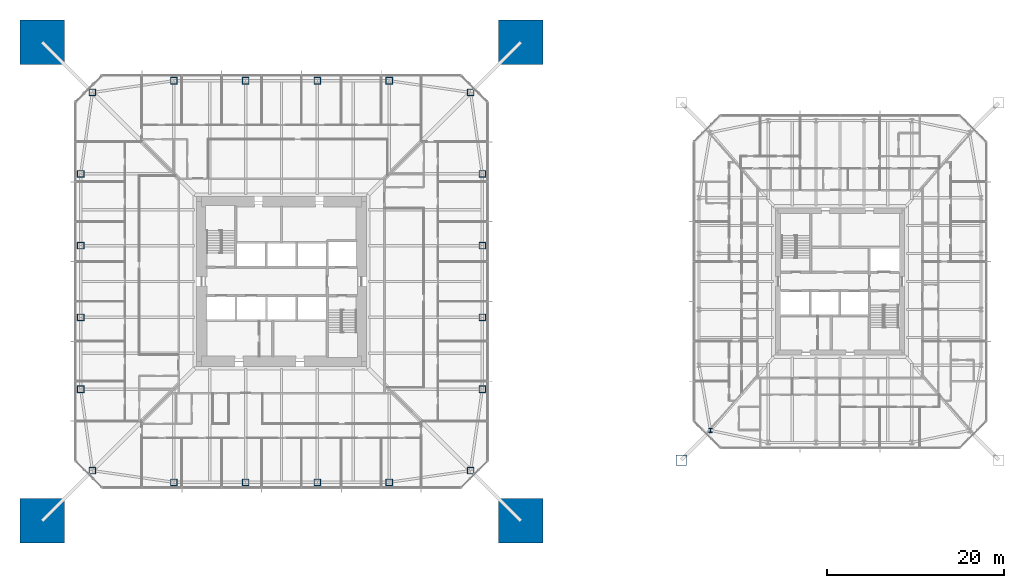
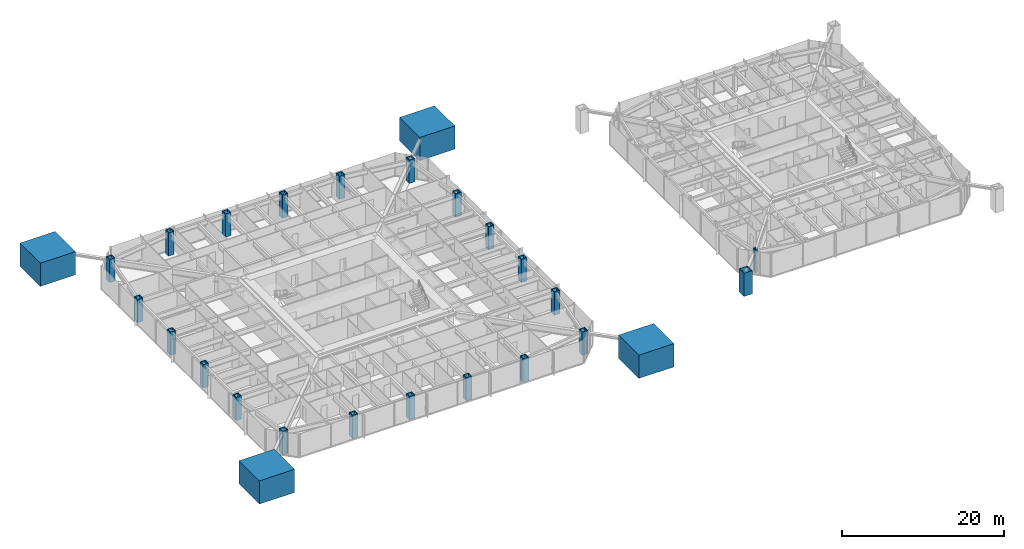
# One storey, part 1 of 26: 26 columns.
"""IFC4 building model written with IfcOpenShell, lengths in metres."""

from ifc_helpers import new_model, si_unit, direction, frame, origin, origin_2d, place, context, subcontext, project, spatial, rectangle, hollow_rectangle, i_section, extrude, material, material_profile, profile_set, type_object, element, save


model = new_model("IFC4")

# Units and contexts
model_context = context("Model", 3, precision=1e-05, world=origin(), true_north=direction((0.0, 1.0)))
body_context = subcontext(model_context, "Body", "Model", "MODEL_VIEW")
ifc_project = project(units=[si_unit("LENGTHUNIT", "METRE"), si_unit("AREAUNIT", "SQUARE_METRE"), si_unit("VOLUMEUNIT", "CUBIC_METRE"), si_unit("PLANEANGLEUNIT", "RADIAN"), si_unit("MASSUNIT", "GRAM", prefix="KILO")], contexts=[model_context])

# Site, building, storey
site_placement = place(None, origin())
site = spatial("IfcSite", under=ifc_project, at=site_placement, CompositionType="ELEMENT")
building_placement = place(site_placement, origin())
building = spatial("IfcBuilding", under=site, at=building_placement, Name="Iwan Alto Co-Living Towers", CompositionType="ELEMENT")
storey_placement = place(building_placement, frame((0.0, 0.0, 18.5)))
storey = spatial("IfcBuildingStorey", under=building, at=storey_placement, Name="L04", CompositionType="ELEMENT", Elevation=18.5)

# Columns
ifc_material_1 = material(Name="Concrete f'c 70 MPa", Category="concrete")
ifc_material_profile_1 = material_profile(ifc_material_1, rectangle(XDim=5.0, YDim=5.0, at=origin_2d()), Name="RC 5000X5000")
ifc_profile_set_1 = profile_set([ifc_material_profile_1], Name="Concrete f'c 70 MPa")
column_type_1 = type_object("IfcColumnType", Name="T1 MEGA COLUMN RC 5000X5000", PredefinedType="COLUMN", material=ifc_profile_set_1)
for number, where, z_axis, x_axis, name in (
    (1, (-27.0, -27.0, 0.0), (0.0, 0.0, 1.0), (1.0, 0.0, 0.0), "T1 mega column SW L04"),
    (2, (27.0, -27.0, 0.0), (0.0, 0.0, 1.0), (1.0, 0.0, 0.0), "T1 mega column SE L04"),
    (3, (27.0, 27.0, 0.0), (0.0, 0.0, 1.0), (1.0, 0.0, 0.0), "T1 mega column NE L04"),
    (4, (-27.0, 27.0, 0.0), (0.0, 0.0, 1.0), (1.0, 0.0, 0.0), "T1 mega column NW L04"),
):
    element("IfcColumn", number, at=place(storey_placement, frame(where, z_axis=z_axis, x_axis=x_axis)), inside=storey, type_object=column_type_1, Name=name, PredefinedType="COLUMN", context=body_context, shape_type="SweptSolid", body=[
        extrude(rectangle(XDim=5.0, YDim=5.0, at=origin_2d()), origin(), (0.0, 0.0, 1.0), 3.5),
        extrude(i_section(OverallWidth=0.4775390625, OverallDepth=0.599365234375, WebThickness=0.10009765625, FlangeThickness=0.139892578125, at=origin_2d()), origin(), (0.0, 0.0, 1.0), 3.5),
    ])
ifc_material_2 = material(Name="Steel ASTM A572 Gr 50", Category="steel")
ifc_material_profile_2 = material_profile(ifc_material_2, hollow_rectangle(XDim=0.800048828125, YDim=0.800048828125, WallThickness=0.090087890625, at=origin_2d()), Name="BOX 800X800X90")
ifc_profile_set_2 = profile_set([ifc_material_profile_2], Name="Steel ASTM A572 Gr 50")
column_type_2 = type_object("IfcColumnType", Name="T1 RING COLUMN BOX 800X800X90", PredefinedType="COLUMN", material=ifc_profile_set_2)
for number, where, z_axis, x_axis, name in (
    (5, (-21.32568359375, -21.32568359375, 0.0), (0.0, 0.0, 1.0), (1.0, 0.0, 0.0), "T1 ring column CSW L04"),
    (6, (-12.14990234375, -22.64990234375, 0.0), (0.0, 0.0, 1.0), (1.0, 0.0, 0.0), "T1 ring column S1 L04"),
    (7, (-4.050048828125, -22.64990234375, 0.0), (0.0, 0.0, 1.0), (1.0, 0.0, 0.0), "T1 ring column S2 L04"),
    (8, (4.050048828125, -22.64990234375, 0.0), (0.0, 0.0, 1.0), (1.0, 0.0, 0.0), "T1 ring column S3 L04"),
    (9, (12.14990234375, -22.64990234375, 0.0), (0.0, 0.0, 1.0), (1.0, 0.0, 0.0), "T1 ring column S4 L04"),
    (10, (21.32568359375, -21.32568359375, 0.0), (0.0, 0.0, 1.0), (1.0, 0.0, 0.0), "T1 ring column CSE L04"),
    (11, (22.64990234375, -12.14990234375, 0.0), (0.0, 0.0, 1.0), (1.0, 0.0, 0.0), "T1 ring column E1 L04"),
    (12, (22.64990234375, -4.050048828125, 0.0), (0.0, 0.0, 1.0), (1.0, 0.0, 0.0), "T1 ring column E2 L04"),
    (13, (22.64990234375, 4.050048828125, 0.0), (0.0, 0.0, 1.0), (1.0, 0.0, 0.0), "T1 ring column E3 L04"),
    (14, (22.64990234375, 12.14990234375, 0.0), (0.0, 0.0, 1.0), (1.0, 0.0, 0.0), "T1 ring column E4 L04"),
    (15, (21.32568359375, 21.32568359375, 0.0), (0.0, 0.0, 1.0), (1.0, 0.0, 0.0), "T1 ring column CNE L04"),
    (16, (12.14990234375, 22.64990234375, 0.0), (0.0, 0.0, 1.0), (1.0, 0.0, 0.0), "T1 ring column N1 L04"),
    (17, (4.050048828125, 22.64990234375, 0.0), (0.0, 0.0, 1.0), (1.0, 0.0, 0.0), "T1 ring column N2 L04"),
    (18, (-4.050048828125, 22.64990234375, 0.0), (0.0, 0.0, 1.0), (1.0, 0.0, 0.0), "T1 ring column N3 L04"),
    (19, (-12.14990234375, 22.64990234375, 0.0), (0.0, 0.0, 1.0), (1.0, 0.0, 0.0), "T1 ring column N4 L04"),
    (20, (-21.32568359375, 21.32568359375, 0.0), (0.0, 0.0, 1.0), (1.0, 0.0, 0.0), "T1 ring column CNW L04"),
    (21, (-22.64990234375, 12.14990234375, 0.0), (0.0, 0.0, 1.0), (1.0, 0.0, 0.0), "T1 ring column W1 L04"),
    (22, (-22.64990234375, 4.050048828125, 0.0), (0.0, 0.0, 1.0), (1.0, 0.0, 0.0), "T1 ring column W2 L04"),
    (23, (-22.64990234375, -4.050048828125, 0.0), (0.0, 0.0, 1.0), (1.0, 0.0, 0.0), "T1 ring column W3 L04"),
    (24, (-22.64990234375, -12.14990234375, 0.0), (0.0, 0.0, 1.0), (1.0, 0.0, 0.0), "T1 ring column W4 L04"),
):
    element("IfcColumn", number, at=place(storey_placement, frame(where, z_axis=z_axis, x_axis=x_axis)), inside=storey, type_object=column_type_2, Name=name, PredefinedType="COLUMN", context=body_context, shape_type="SweptSolid", body=[
        extrude(hollow_rectangle(XDim=0.800048828125, YDim=0.800048828125, WallThickness=0.090087890625, at=origin_2d()), origin(), (0.0, 0.0, 1.0), 3.5),
    ])
ifc_material_3 = material(Name="Steel ASTM A572 Gr 50", Category="steel")
ifc_material_profile_3 = material_profile(ifc_material_3, hollow_rectangle(XDim=1.199951171875, YDim=1.199951171875, WallThickness=0.070068359375, at=origin_2d()), Name="BOX 1200X1200X70")
ifc_profile_set_3 = profile_set([ifc_material_profile_3], Name="Steel ASTM A572 Gr 50")
column_type_3 = type_object("IfcColumnType", Name="T2 MEGA COLUMN BOX 1200X1200X70", PredefinedType="COLUMN", material=ifc_profile_set_3)
column_1_placement = place(storey_placement, frame((45.10009765625, -20.14990234375, 0.0), z_axis=(0.0, 0.0, 1.0), x_axis=(1.0, 0.0, 0.0)))
element("IfcColumn", 25, at=column_1_placement, inside=storey, type_object=column_type_3, Name="T2 mega column SW L04", PredefinedType="COLUMN", context=body_context, shape_type="SweptSolid", body=[
    extrude(hollow_rectangle(XDim=1.199951171875, YDim=1.199951171875, WallThickness=0.070068359375, at=origin_2d()), origin(), (0.0, 0.0, 1.0), 3.5),
])
ifc_material_4 = material(Name="Steel ASTM A992 Gr 50", Category="steel")
ifc_material_profile_4 = material_profile(ifc_material_4, i_section(OverallWidth=0.424072265625, OverallDepth=0.47509765625, WebThickness=0.0478515625, FlangeThickness=0.0771484375, at=origin_2d()), Name="W14X426")
ifc_profile_set_4 = profile_set([ifc_material_profile_4], Name="Steel ASTM A992 Gr 50")
column_type_4 = type_object("IfcColumnType", Name="T2 RING COLUMN W14X426", PredefinedType="COLUMN", material=ifc_profile_set_4)
column_2_placement = place(storey_placement, frame((48.393798828125, -16.797119140625, 0.0), z_axis=(0.0, 0.0, 1.0), x_axis=(1.0, 0.0, 0.0)))
element("IfcColumn", 26, at=column_2_placement, inside=storey, type_object=column_type_4, Name="T2 ring column CSW L04", PredefinedType="COLUMN", context=body_context, shape_type="SweptSolid", body=[
    extrude(i_section(OverallWidth=0.424072265625, OverallDepth=0.47509765625, WebThickness=0.0478515625, FlangeThickness=0.0771484375, at=origin_2d()), origin(), (0.0, 0.0, 1.0), 3.5),
])

save(model, "model.ifc")
